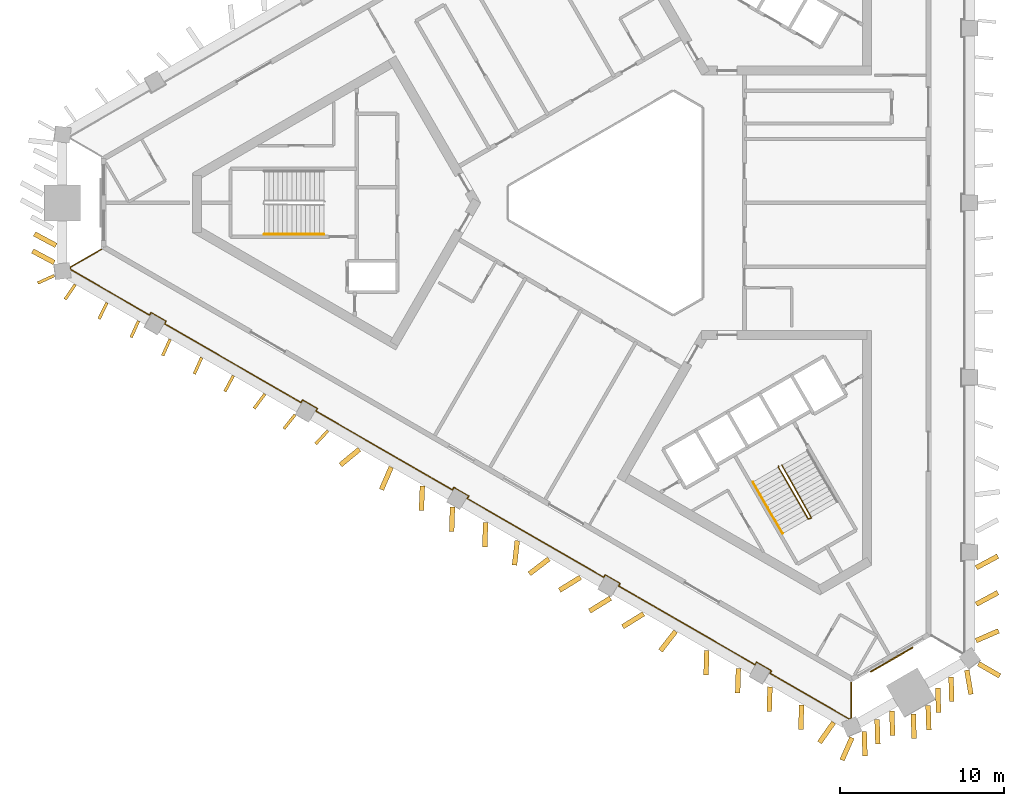
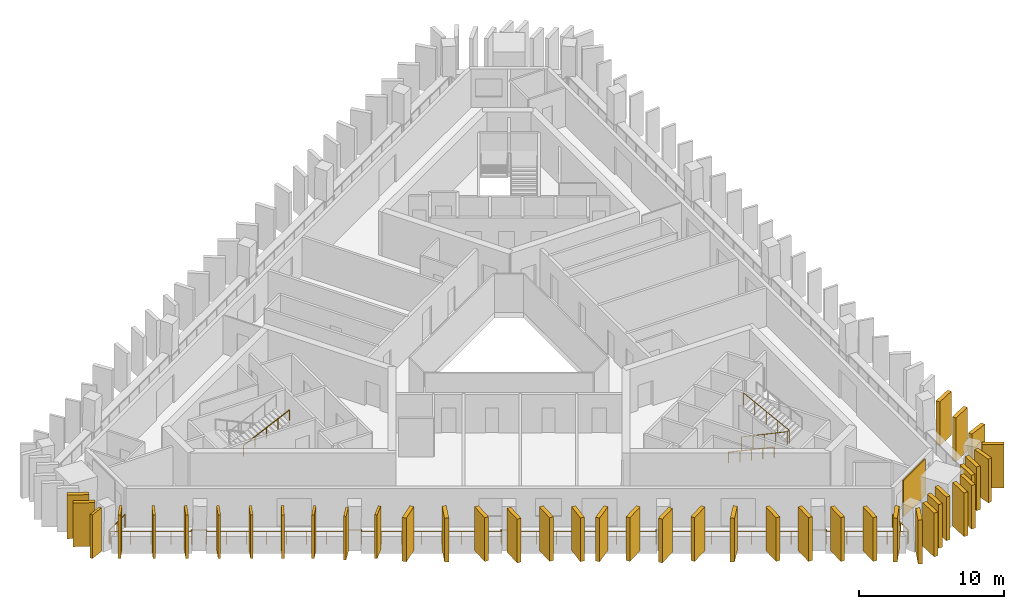
# One storey, part 7 of 9: 41 shading devices, 4 railings, 1 covering.
"""IFC4 building model written with IfcOpenShell, lengths in metres."""

from ifc_helpers import new_model, si_unit, direction, frame, frame_2d, origin, origin_2d, place, context, subcontext, project, spatial, rectangle, circle, extrude, material, layer, layer_set, type_object, element, save


model = new_model("IFC4")

# Units and contexts
model_context = context("Model", 3, precision=1e-05, world=origin(), true_north=direction((0.0, 1.0)))
body_context = subcontext(model_context, "Body", "Model", "MODEL_VIEW")
ifc_project = project(units=[si_unit("LENGTHUNIT", "METRE"), si_unit("AREAUNIT", "SQUARE_METRE"), si_unit("VOLUMEUNIT", "CUBIC_METRE"), si_unit("PLANEANGLEUNIT", "RADIAN"), si_unit("MASSUNIT", "GRAM", prefix="KILO")], contexts=[model_context])

# Site, building, storey
site_placement = place(None, origin())
site = spatial("IfcSite", under=ifc_project, at=site_placement, CompositionType="ELEMENT")
building_placement = place(site_placement, origin())
building = spatial("IfcBuilding", under=site, at=building_placement, Name="Jabali Bay Hotel Tower and Convention Centre", CompositionType="ELEMENT")
storey_placement = place(building_placement, frame((0.0, 0.0, 185.89990234375)))
storey = spatial("IfcBuildingStorey", under=building, at=storey_placement, Name="L45", CompositionType="ELEMENT", Elevation=185.89990234375)

# Railing
ifc_material_1 = material(Name="Glass", Category="glass")
railing_type_1 = type_object("IfcRailingType", Name="Loggia glass guard 1100", PredefinedType="BALUSTRADE", material=ifc_material_1)
railing_1_placement = place(storey_placement, frame((88.62646484375, 50.710205078125, 0.0)))
element("IfcRailing", 1, at=railing_1_placement, inside=storey, type_object=railing_type_1, Name="Loggia glass guard L45", PredefinedType="BALUSTRADE", context=body_context, shape_type="SweptSolid", body=[
    extrude(circle(Radius=0.02490234375, at=origin_2d()), frame((0.0, 0.0, 1.0751953125), z_axis=(0.0, -1.0, 0.0), x_axis=(0.991444861374, 0.0, 0.13052619222)), (0.0, 0.0, 1.0), 2.193115234375),
    extrude(circle(Radius=0.02490234375, at=origin_2d()), frame((0.0, -2.193115234375, 1.0751953125), z_axis=(-0.920243719744, -0.391345750291, 0.0), x_axis=(0.387997733147, -0.912370907152, 0.13052619222)), (0.0, 0.0, 1.0), 0.1259765625),
    extrude(circle(Radius=0.02490234375, at=origin_2d()), frame((-0.115966796875, -2.242431640625, 1.0751953125), z_axis=(-0.866032032245, 0.499988518994, 0.0), x_axis=(-0.495711047903, -0.858623008154, 0.13052619222)), (0.0, 0.0, 1.0), 5.586669921875),
    extrude(circle(Radius=0.02490234375, at=origin_2d()), frame((-4.9541015625, 0.55078125, 1.0751953125), z_axis=(0.499440622861, 0.866348119543, 0.0), x_axis=(-0.858936391282, 0.495167839097, 0.13052619222)), (0.0, 0.0, 1.0), 0.175048828125),
    extrude(circle(Radius=0.02490234375, at=origin_2d()), frame((-4.86669921875, 0.702392578125, 1.0751953125), z_axis=(-0.866088799389, 0.499890179513, 0.0), x_axis=(-0.495613549729, -0.858679289647, 0.13052619222)), (0.0, 0.0, 1.0), 1.050048828125),
    extrude(circle(Radius=0.02490234375, at=origin_2d()), frame((-5.776123046875, 1.227294921875, 1.0751953125), z_axis=(-0.500044870432, -0.865999496279, 0.0), x_axis=(0.858590750538, -0.495766917246, 0.13052619222)), (0.0, 0.0, 1.0), 0.1748046875),
    extrude(circle(Radius=0.02490234375, at=origin_2d()), frame((-5.863525390625, 1.075927734375, 1.0751953125), z_axis=(-0.866026381534, 0.499998306483, 0.0), x_axis=(-0.495720751659, -0.858617405787, 0.13052619222)), (0.0, 0.0, 1.0), 9.62744140625),
    extrude(circle(Radius=0.02490234375, at=origin_2d()), frame((-14.201171875, 5.8896484375, 1.0751953125), z_axis=(0.500044870432, 0.865999496279, 0.0), x_axis=(-0.858590750538, 0.495766917246, 0.13052619222)), (0.0, 0.0, 1.0), 0.1748046875),
    extrude(circle(Radius=0.02490234375, at=origin_2d()), frame((-14.11376953125, 6.041015625, 1.0751953125), z_axis=(-0.86592997719, 0.500165247297, 0.0), x_axis=(-0.495886264271, -0.858521826194, 0.13052619222)), (0.0, 0.0, 1.0), 1.050048828125),
    extrude(circle(Radius=0.02490234375, at=origin_2d()), frame((-15.02294921875, 6.566162109375, 1.0751953125), z_axis=(-0.500486622847, -0.865744269604, 0.0), x_axis=(0.858337707362, -0.496204890408, 0.13052619222)), (0.0, 0.0, 1.0), 0.175048828125),
    extrude(circle(Radius=0.02490234375, at=origin_2d()), frame((-15.110595703125, 6.41455078125, 1.0751953125), z_axis=(-0.866020041683, 0.500009287317, 0.0), x_axis=(-0.495731638549, -0.858611120174, 0.13052619222)), (0.0, 0.0, 1.0), 9.627197265625),
    extrude(circle(Radius=0.02490234375, at=origin_2d()), frame((-23.447998046875, 11.228271484375, 1.0751953125), z_axis=(0.499440622861, 0.866348119543, 0.0), x_axis=(-0.858936391282, 0.495167839097, 0.13052619222)), (0.0, 0.0, 1.0), 0.175048828125),
    extrude(circle(Radius=0.02490234375, at=origin_2d()), frame((-23.360595703125, 11.3798828125, 1.0751953125), z_axis=(-0.866088799389, 0.499890179513, 0.0), x_axis=(-0.495613549729, -0.858679289647, 0.13052619222)), (0.0, 0.0, 1.0), 1.050048828125),
    extrude(circle(Radius=0.02490234375, at=origin_2d()), frame((-24.27001953125, 11.90478515625, 1.0751953125), z_axis=(-0.499440622861, -0.866348119543, 0.0), x_axis=(0.858936391282, -0.495167839097, 0.13052619222)), (0.0, 0.0, 1.0), 0.175048828125),
    extrude(circle(Radius=0.02490234375, at=origin_2d()), frame((-24.357421875, 11.753173828125, 1.0751953125), z_axis=(-0.866026381534, 0.499998306483, 0.0), x_axis=(-0.495720751659, -0.858617405787, 0.13052619222)), (0.0, 0.0, 1.0), 9.62744140625),
    extrude(circle(Radius=0.02490234375, at=origin_2d()), frame((-32.695068359375, 16.56689453125, 1.0751953125), z_axis=(0.500486622847, 0.865744269604, 0.0), x_axis=(-0.858337707362, 0.496204890408, 0.13052619222)), (0.0, 0.0, 1.0), 0.175048828125),
    extrude(circle(Radius=0.02490234375, at=origin_2d()), frame((-32.607421875, 16.718505859375, 1.0751953125), z_axis=(-0.865988129768, 0.500064554934, 0.0), x_axis=(-0.495786433345, -0.858579481269, 0.13052619222)), (0.0, 0.0, 1.0), 1.050048828125),
    extrude(circle(Radius=0.02490234375, at=origin_2d()), frame((-33.516845703125, 17.24365234375, 1.0751953125), z_axis=(-0.499440622861, -0.866348119543, 0.0), x_axis=(0.858936391282, -0.495167839097, 0.13052619222)), (0.0, 0.0, 1.0), 0.175048828125),
    extrude(circle(Radius=0.02490234375, at=origin_2d()), frame((-33.604248046875, 17.092041015625, 1.0751953125), z_axis=(-0.866026381534, 0.499998306483, 0.0), x_axis=(-0.495720751659, -0.858617405787, 0.13052619222)), (0.0, 0.0, 1.0), 9.62744140625),
    extrude(circle(Radius=0.02490234375, at=origin_2d()), frame((-41.94189453125, 21.90576171875, 1.0751953125), z_axis=(0.499440622861, 0.866348119543, 0.0), x_axis=(-0.858936391282, 0.495167839097, 0.13052619222)), (0.0, 0.0, 1.0), 0.175048828125),
    extrude(circle(Radius=0.02490234375, at=origin_2d()), frame((-41.8544921875, 22.057373046875, 1.0751953125), z_axis=(-0.866030680601, 0.499990860175, 0.0), x_axis=(-0.495713369054, -0.858621668074, 0.13052619222)), (0.0, 0.0, 1.0), 1.0498046875),
    extrude(circle(Radius=0.02490234375, at=origin_2d()), frame((-42.763671875, 22.582275390625, 1.0751953125), z_axis=(-0.500486622847, -0.865744269604, 0.0), x_axis=(0.858337707362, -0.496204890408, 0.13052619222)), (0.0, 0.0, 1.0), 0.175048828125),
    extrude(circle(Radius=0.02490234375, at=origin_2d()), frame((-42.851318359375, 22.4306640625, 1.0751953125), z_axis=(-0.866013109036, 0.500021294524, 0.0), x_axis=(-0.495743543034, -0.858604246836, 0.13052619222)), (0.0, 0.0, 1.0), 5.586669921875),
    extrude(circle(Radius=0.02490234375, at=origin_2d()), frame((-47.689453125, 25.22412109375, 1.0751953125), z_axis=(-0.119984594018, 0.992775753732, 0.0), x_axis=(-0.984282419534, -0.118958109183, 0.13052619222)), (0.0, 0.0, 1.0), 0.126220703125),
    extrude(circle(Radius=0.02490234375, at=origin_2d()), frame((-47.70458984375, 25.349365234375, 1.0751953125), z_axis=(0.866035418383, 0.499982653806, 0.0), x_axis=(-0.495705232892, 0.858626365323, 0.13052619222)), (0.0, 0.0, 1.0), 2.19287109375),
    extrude(circle(Radius=0.02001953125, at=origin_2d()), origin(), (0.0, 0.0, 1.0), 1.050048828125),
    extrude(circle(Radius=0.02001953125, at=origin_2d()), frame((0.0, -1.0966796875, 0.0)), (0.0, 0.0, 1.0), 1.050048828125),
    extrude(circle(Radius=0.02001953125, at=origin_2d()), frame((0.0, -2.193115234375, 0.0)), (0.0, 0.0, 1.0), 1.050048828125),
    extrude(circle(Radius=0.02001953125, at=origin_2d()), frame((-0.115966796875, -2.242431640625, 0.0)), (0.0, 0.0, 1.0), 1.050048828125),
    extrude(circle(Radius=0.02001953125, at=origin_2d()), frame((-1.325439453125, -1.544189453125, 0.0)), (0.0, 0.0, 1.0), 1.050048828125),
    extrude(circle(Radius=0.02001953125, at=origin_2d()), frame((-2.53515625, -0.845703125, 0.0)), (0.0, 0.0, 1.0), 1.050048828125),
    extrude(circle(Radius=0.02001953125, at=origin_2d()), frame((-3.74462890625, -0.1474609375, 0.0)), (0.0, 0.0, 1.0), 1.050048828125),
    extrude(circle(Radius=0.02001953125, at=origin_2d()), frame((-4.9541015625, 0.55078125, 0.0)), (0.0, 0.0, 1.0), 1.050048828125),
    extrude(circle(Radius=0.02001953125, at=origin_2d()), frame((-4.86669921875, 0.702392578125, 0.0)), (0.0, 0.0, 1.0), 1.050048828125),
    extrude(circle(Radius=0.02001953125, at=origin_2d()), frame((-5.776123046875, 1.227294921875, 0.0)), (0.0, 0.0, 1.0), 1.050048828125),
    extrude(circle(Radius=0.02001953125, at=origin_2d()), frame((-5.863525390625, 1.075927734375, 0.0)), (0.0, 0.0, 1.0), 1.050048828125),
    extrude(circle(Radius=0.02001953125, at=origin_2d()), frame((-7.0546875, 1.763671875, 0.0)), (0.0, 0.0, 1.0), 1.050048828125),
    extrude(circle(Radius=0.02001953125, at=origin_2d()), frame((-8.24560546875, 2.451171875, 0.0)), (0.0, 0.0, 1.0), 1.050048828125),
    extrude(circle(Radius=0.02001953125, at=origin_2d()), frame((-9.436767578125, 3.138916015625, 0.0)), (0.0, 0.0, 1.0), 1.050048828125),
    extrude(circle(Radius=0.02001953125, at=origin_2d()), frame((-10.6279296875, 3.82666015625, 0.0)), (0.0, 0.0, 1.0), 1.050048828125),
    extrude(circle(Radius=0.02001953125, at=origin_2d()), frame((-11.819091796875, 4.514404296875, 0.0)), (0.0, 0.0, 1.0), 1.050048828125),
    extrude(circle(Radius=0.02001953125, at=origin_2d()), frame((-13.010009765625, 5.201904296875, 0.0)), (0.0, 0.0, 1.0), 1.050048828125),
    extrude(circle(Radius=0.02001953125, at=origin_2d()), frame((-14.201171875, 5.8896484375, 0.0)), (0.0, 0.0, 1.0), 1.050048828125),
    extrude(circle(Radius=0.02001953125, at=origin_2d()), frame((-14.11376953125, 6.041015625, 0.0)), (0.0, 0.0, 1.0), 1.050048828125),
    extrude(circle(Radius=0.02001953125, at=origin_2d()), frame((-15.02294921875, 6.566162109375, 0.0)), (0.0, 0.0, 1.0), 1.050048828125),
    extrude(circle(Radius=0.02001953125, at=origin_2d()), frame((-15.110595703125, 6.41455078125, 0.0)), (0.0, 0.0, 1.0), 1.050048828125),
    extrude(circle(Radius=0.02001953125, at=origin_2d()), frame((-16.3017578125, 7.102294921875, 0.0)), (0.0, 0.0, 1.0), 1.050048828125),
    extrude(circle(Radius=0.02001953125, at=origin_2d()), frame((-17.49267578125, 7.789794921875, 0.0)), (0.0, 0.0, 1.0), 1.050048828125),
    extrude(circle(Radius=0.02001953125, at=origin_2d()), frame((-18.683837890625, 8.4775390625, 0.0)), (0.0, 0.0, 1.0), 1.050048828125),
    extrude(circle(Radius=0.02001953125, at=origin_2d()), frame((-19.874755859375, 9.165283203125, 0.0)), (0.0, 0.0, 1.0), 1.050048828125),
    extrude(circle(Radius=0.02001953125, at=origin_2d()), frame((-21.06591796875, 9.85302734375, 0.0)), (0.0, 0.0, 1.0), 1.050048828125),
    extrude(circle(Radius=0.02001953125, at=origin_2d()), frame((-22.2568359375, 10.54052734375, 0.0)), (0.0, 0.0, 1.0), 1.050048828125),
    extrude(circle(Radius=0.02001953125, at=origin_2d()), frame((-23.447998046875, 11.228271484375, 0.0)), (0.0, 0.0, 1.0), 1.050048828125),
    extrude(circle(Radius=0.02001953125, at=origin_2d()), frame((-23.360595703125, 11.3798828125, 0.0)), (0.0, 0.0, 1.0), 1.050048828125),
    extrude(circle(Radius=0.02001953125, at=origin_2d()), frame((-24.27001953125, 11.90478515625, 0.0)), (0.0, 0.0, 1.0), 1.050048828125),
    extrude(circle(Radius=0.02001953125, at=origin_2d()), frame((-24.357421875, 11.753173828125, 0.0)), (0.0, 0.0, 1.0), 1.050048828125),
    extrude(circle(Radius=0.02001953125, at=origin_2d()), frame((-25.548583984375, 12.44091796875, 0.0)), (0.0, 0.0, 1.0), 1.050048828125),
    extrude(circle(Radius=0.02001953125, at=origin_2d()), frame((-26.739501953125, 13.12841796875, 0.0)), (0.0, 0.0, 1.0), 1.050048828125),
    extrude(circle(Radius=0.02001953125, at=origin_2d()), frame((-27.9306640625, 13.816162109375, 0.0)), (0.0, 0.0, 1.0), 1.050048828125),
    extrude(circle(Radius=0.02001953125, at=origin_2d()), frame((-29.121826171875, 14.50390625, 0.0)), (0.0, 0.0, 1.0), 1.050048828125),
    extrude(circle(Radius=0.02001953125, at=origin_2d()), frame((-30.31298828125, 15.191650390625, 0.0)), (0.0, 0.0, 1.0), 1.050048828125),
    extrude(circle(Radius=0.02001953125, at=origin_2d()), frame((-31.50390625, 15.879150390625, 0.0)), (0.0, 0.0, 1.0), 1.050048828125),
    extrude(circle(Radius=0.02001953125, at=origin_2d()), frame((-32.695068359375, 16.56689453125, 0.0)), (0.0, 0.0, 1.0), 1.050048828125),
    extrude(circle(Radius=0.02001953125, at=origin_2d()), frame((-32.607421875, 16.718505859375, 0.0)), (0.0, 0.0, 1.0), 1.050048828125),
    extrude(circle(Radius=0.02001953125, at=origin_2d()), frame((-33.516845703125, 17.24365234375, 0.0)), (0.0, 0.0, 1.0), 1.050048828125),
    extrude(circle(Radius=0.02001953125, at=origin_2d()), frame((-33.604248046875, 17.092041015625, 0.0)), (0.0, 0.0, 1.0), 1.050048828125),
    extrude(circle(Radius=0.02001953125, at=origin_2d()), frame((-34.79541015625, 17.77978515625, 0.0)), (0.0, 0.0, 1.0), 1.050048828125),
    extrude(circle(Radius=0.02001953125, at=origin_2d()), frame((-35.986328125, 18.46728515625, 0.0)), (0.0, 0.0, 1.0), 1.050048828125),
    extrude(circle(Radius=0.02001953125, at=origin_2d()), frame((-37.177490234375, 19.155029296875, 0.0)), (0.0, 0.0, 1.0), 1.050048828125),
    extrude(circle(Radius=0.02001953125, at=origin_2d()), frame((-38.36865234375, 19.8427734375, 0.0)), (0.0, 0.0, 1.0), 1.050048828125),
    extrude(circle(Radius=0.02001953125, at=origin_2d()), frame((-39.559814453125, 20.530517578125, 0.0)), (0.0, 0.0, 1.0), 1.050048828125),
    extrude(circle(Radius=0.02001953125, at=origin_2d()), frame((-40.750732421875, 21.218017578125, 0.0)), (0.0, 0.0, 1.0), 1.050048828125),
    extrude(circle(Radius=0.02001953125, at=origin_2d()), frame((-41.94189453125, 21.90576171875, 0.0)), (0.0, 0.0, 1.0), 1.050048828125),
    extrude(circle(Radius=0.02001953125, at=origin_2d()), frame((-41.8544921875, 22.057373046875, 0.0)), (0.0, 0.0, 1.0), 1.050048828125),
    extrude(circle(Radius=0.02001953125, at=origin_2d()), frame((-42.763671875, 22.582275390625, 0.0)), (0.0, 0.0, 1.0), 1.050048828125),
    extrude(circle(Radius=0.02001953125, at=origin_2d()), frame((-42.851318359375, 22.4306640625, 0.0)), (0.0, 0.0, 1.0), 1.050048828125),
    extrude(circle(Radius=0.02001953125, at=origin_2d()), frame((-44.060791015625, 23.12890625, 0.0)), (0.0, 0.0, 1.0), 1.050048828125),
    extrude(circle(Radius=0.02001953125, at=origin_2d()), frame((-45.2705078125, 23.827392578125, 0.0)), (0.0, 0.0, 1.0), 1.050048828125),
    extrude(circle(Radius=0.02001953125, at=origin_2d()), frame((-46.47998046875, 24.52587890625, 0.0)), (0.0, 0.0, 1.0), 1.050048828125),
    extrude(circle(Radius=0.02001953125, at=origin_2d()), frame((-47.689453125, 25.22412109375, 0.0)), (0.0, 0.0, 1.0), 1.050048828125),
    extrude(circle(Radius=0.02001953125, at=origin_2d()), frame((-47.70458984375, 25.349365234375, 0.0)), (0.0, 0.0, 1.0), 1.050048828125),
    extrude(circle(Radius=0.02001953125, at=origin_2d()), frame((-46.7548828125, 25.8974609375, 0.0)), (0.0, 0.0, 1.0), 1.050048828125),
    extrude(circle(Radius=0.02001953125, at=origin_2d()), frame((-45.805419921875, 26.44580078125, 0.0)), (0.0, 0.0, 1.0), 1.050048828125),
])

# Shading devices
ifc_material_2 = material(Name="Precast concrete C60", Category="concrete")
ifc_layer_1 = layer(ifc_material_2, 0.179931640625)
ifc_layer_set_1 = layer_set([ifc_layer_1], Name="Precast concrete C60")
shading_device_type_1 = type_object("IfcShadingDeviceType", Name="Precast fin 3680 x 1100", PredefinedType="USERDEFINED", material=ifc_layer_set_1)
for number, where, z_axis, x_axis, name in (
    (2, (41.236328125, 75.011474609375, 0.010009765625), (0.0, 0.0, 1.0), (-0.566830197099, -0.82383464825, 0.0), "Fin L45 066"),
    (3, (43.166748046875, 73.8974609375, 0.010009765625), (0.0, 0.0, 1.0), (-0.435456502385, -0.900209772515, 0.0), "Fin L45 067"),
    (4, (45.095947265625, 72.781005859375, 0.010009765625), (0.0, 0.0, 1.0), (-0.411711599692, -0.911314193173, 0.0), "Fin L45 068"),
    (5, (47.026123046875, 71.66650390625, 0.010009765625), (0.0, 0.0, 1.0), (-0.411259632718, -0.911518246936, 0.0), "Fin L45 069"),
):
    element("IfcShadingDevice", number, at=place(storey_placement, frame(where, z_axis=z_axis, x_axis=x_axis)), inside=storey, type_object=shading_device_type_1, Name=name, ObjectType="FIN", PredefinedType="USERDEFINED", context=body_context, shape_type="SweptSolid", body=[
        extrude(rectangle(XDim=1.10009765625, YDim=0.179931640625, at=frame_2d((0.550048828125, 0.0))), origin(), (0.0, 0.0, 1.0), 3.68017578125),
    ])
for number, where, z_axis, x_axis, name in (
    (6, (48.956298828125, 70.552001953125, 0.010009765625), (0.0, 0.0, 1.0), (-0.410170862135, -0.912008697248, 0.0), "Fin L45 070"),
    (7, (50.889404296875, 69.44287109375, 0.010009765625), (0.0, 0.0, 1.0), (-0.470588235294, -0.882352941176, 0.0), "Fin L45 071"),
):
    element("IfcShadingDevice", number, at=place(storey_placement, frame(where, z_axis=z_axis, x_axis=x_axis)), inside=storey, type_object=shading_device_type_1, Name=name, ObjectType="FIN", PredefinedType="USERDEFINED", context=body_context, shape_type="SweptSolid", body=[
        extrude(rectangle(XDim=1.099853515625, YDim=0.179931640625, at=frame_2d((0.5498046875, 0.0))), origin(), (0.0, 0.0, 1.0), 3.68017578125),
    ])
for number, where, z_axis, x_axis, name in (
    (8, (52.816162109375, 68.322265625, 0.010009765625), (0.0, 0.0, 1.0), (-0.59583769015, -0.803104879201, 0.0), "Fin L45 072"),
    (9, (54.65966796875, 67.0576171875, 0.010009765625), (0.0, 0.0, 1.0), (-0.620327680117, -0.784342762624, 0.0), "Fin L45 073"),
    (10, (56.671630859375, 66.084716796875, 0.010009765625), (0.0, 0.0, 1.0), (-0.681811991259, -0.731527448955, 0.0), "Fin L45 074"),
):
    element("IfcShadingDevice", number, at=place(storey_placement, frame(where, z_axis=z_axis, x_axis=x_axis)), inside=storey, type_object=shading_device_type_1, Name=name, ObjectType="FIN", PredefinedType="USERDEFINED", context=body_context, shape_type="SweptSolid", body=[
        extrude(rectangle(XDim=1.10009765625, YDim=0.179931640625, at=frame_2d((0.550048828125, 0.0))), origin(), (0.0, 0.0, 1.0), 3.68017578125),
    ])
shading_device_1_placement = place(storey_placement, frame((39.948486328125, 75.55517578125, 0.010009765625), z_axis=(0.0, 0.0, 1.0), x_axis=(-0.911276560318, -0.411794889011, 0.0)))
element("IfcShadingDevice", 11, at=shading_device_1_placement, inside=storey, type_object=shading_device_type_1, Name="Fin L45 103", ObjectType="FIN", PredefinedType="USERDEFINED", context=body_context, shape_type="SweptSolid", body=[
    extrude(rectangle(XDim=1.099853515625, YDim=0.179931640625, at=frame_2d((0.5498046875, 0.0))), origin(), (0.0, 0.0, 1.0), 3.68017578125),
])
ifc_layer_2 = layer(ifc_material_2, 0.300048828125)
ifc_layer_set_2 = layer_set([ifc_layer_2], Name="Precast concrete C60")
shading_device_type_2 = type_object("IfcShadingDeviceType", Name="Precast fin 3680 x 1500", PredefinedType="USERDEFINED", material=ifc_layer_set_2)
for number, where, z_axis, x_axis, name in (
    (12, (96.2548828125, 53.254150390625, 0.010009765625), (0.0, 0.0, 1.0), (0.916780017782, 0.399392537482, 0.0), "Fin L45 000"),
    (13, (96.265869140625, 55.48291015625, 0.010009765625), (0.0, 0.0, 1.0), (0.881165229654, 0.472808458098, 0.0), "Fin L45 001"),
    (14, (96.265869140625, 57.711669921875, 0.010009765625), (0.0, 0.0, 1.0), (0.881404945514, 0.472361431557, 0.0), "Fin L45 002"),
    (15, (40.063232421875, 77.392578125, 0.010009765625), (0.0, 0.0, 1.0), (-0.881061009287, 0.473002640493, 0.0), "Fin L45 064"),
    (16, (39.9501953125, 76.349609375, 0.010009765625), (0.0, 0.0, 1.0), (-0.881061009287, 0.473002640493, 0.0), "Fin L45 065"),
    (17, (58.585693359375, 64.942626953125, 0.010009765625), (0.0, 0.0, 1.0), (-0.770311617104, -0.637667634865, 0.0), "Fin L45 075"),
    (18, (60.53369140625, 63.85888671875, 0.010009765625), (0.0, 0.0, 1.0), (-0.399059344356, -0.916925100367, 0.0), "Fin L45 076"),
):
    element("IfcShadingDevice", number, at=place(storey_placement, frame(where, z_axis=z_axis, x_axis=x_axis)), inside=storey, type_object=shading_device_type_2, Name=name, ObjectType="FIN", PredefinedType="USERDEFINED", context=body_context, shape_type="SweptSolid", body=[
        extrude(rectangle(XDim=1.5, YDim=0.300048828125, at=frame_2d((0.75, 0.0))), origin(), (0.0, 0.0, 1.0), 3.68017578125),
    ])
shading_device_2_placement = place(storey_placement, frame((62.4375, 62.698974609375, 0.010009765625), z_axis=(0.0, 0.0, 1.0), x_axis=(-0.042314241954, -0.999104351371, 0.0)))
element("IfcShadingDevice", 19, at=shading_device_2_placement, inside=storey, type_object=shading_device_type_2, Name="Fin L45 077", ObjectType="FIN", PredefinedType="USERDEFINED", context=body_context, shape_type="SweptSolid", body=[
    extrude(rectangle(XDim=1.500244140625, YDim=0.300048828125, at=frame_2d((0.75, 0.0))), origin(), (0.0, 0.0, 1.0), 3.68017578125),
])
shading_device_3_placement = place(storey_placement, frame((64.27587890625, 61.425537109375, 0.010009765625), z_axis=(0.0, 0.0, 1.0), x_axis=(-0.03352616757, -0.999437840032, 0.0)))
element("IfcShadingDevice", 20, at=shading_device_3_placement, inside=storey, type_object=shading_device_type_2, Name="Fin L45 078", ObjectType="FIN", PredefinedType="USERDEFINED", context=body_context, shape_type="SweptSolid", body=[
    extrude(rectangle(XDim=1.5, YDim=0.300048828125, at=frame_2d((0.75, 0.0))), origin(), (0.0, 0.0, 1.0), 3.68017578125),
])
shading_device_4_placement = place(storey_placement, frame((66.29736328125, 60.46875, 0.010009765625), z_axis=(0.0, 0.0, 1.0), x_axis=(-0.03158033161, -0.999501216935, 0.0)))
element("IfcShadingDevice", 21, at=shading_device_4_placement, inside=storey, type_object=shading_device_type_2, Name="Fin L45 079", ObjectType="FIN", PredefinedType="USERDEFINED", context=body_context, shape_type="SweptSolid", body=[
    extrude(rectangle(XDim=1.499755859375, YDim=0.300048828125, at=frame_2d((0.75, 0.0))), origin(), (0.0, 0.0, 1.0), 3.68017578125),
])
for number, where, z_axis, x_axis, name in (
    (22, (68.23291015625, 59.364013671875, 0.010009765625), (0.0, 0.0, 1.0), (-0.112467790546, -0.993655370886, 0.0), "Fin L45 080"),
    (23, (70.164306640625, 58.25146484375, 0.010009765625), (0.0, 0.0, 1.0), (-0.794477939917, -0.607293012462, 0.0), "Fin L45 081"),
    (24, (72.087890625, 57.12548828125, 0.010009765625), (0.0, 0.0, 1.0), (-0.850140244576, -0.526556326097, 0.0), "Fin L45 082"),
    (25, (73.927001953125, 55.85302734375, 0.010009765625), (0.0, 0.0, 1.0), (-0.850258209303, -0.526365820996, 0.0), "Fin L45 083"),
):
    element("IfcShadingDevice", number, at=place(storey_placement, frame(where, z_axis=z_axis, x_axis=x_axis)), inside=storey, type_object=shading_device_type_2, Name=name, ObjectType="FIN", PredefinedType="USERDEFINED", context=body_context, shape_type="SweptSolid", body=[
        extrude(rectangle(XDim=1.5, YDim=0.300048828125, at=frame_2d((0.75, 0.0))), origin(), (0.0, 0.0, 1.0), 3.68017578125),
    ])
shading_device_5_placement = place(storey_placement, frame((75.948486328125, 54.896728515625, 0.010009765625), z_axis=(0.0, 0.0, 1.0), x_axis=(-0.850185364679, -0.526483471427, 0.0)))
element("IfcShadingDevice", 26, at=shading_device_5_placement, inside=storey, type_object=shading_device_type_2, Name="Fin L45 084", ObjectType="FIN", PredefinedType="USERDEFINED", context=body_context, shape_type="SweptSolid", body=[
    extrude(rectangle(XDim=1.500244140625, YDim=0.300048828125, at=frame_2d((0.75, 0.0))), origin(), (0.0, 0.0, 1.0), 3.68017578125),
])
shading_device_6_placement = place(storey_placement, frame((77.90380859375, 53.825927734375, 0.010009765625), z_axis=(0.0, 0.0, 1.0), x_axis=(-0.613354436906, -0.789807783405, 0.0)))
element("IfcShadingDevice", 27, at=shading_device_6_placement, inside=storey, type_object=shading_device_type_2, Name="Fin L45 085", ObjectType="FIN", PredefinedType="USERDEFINED", context=body_context, shape_type="SweptSolid", body=[
    extrude(rectangle(XDim=1.499755859375, YDim=0.300048828125, at=frame_2d((0.75, 0.0))), origin(), (0.0, 0.0, 1.0), 3.68017578125),
])
for number, where, z_axis, x_axis, name in (
    (28, (79.808837890625, 52.66796875, 0.010009765625), (0.0, 0.0, 1.0), (-0.030924788426, -0.999521714352, 0.0), "Fin L45 086"),
    (29, (81.739013671875, 51.553466796875, 0.010009765625), (0.0, 0.0, 1.0), (-0.030924788426, -0.999521714352, 0.0), "Fin L45 087"),
    (30, (83.669189453125, 50.43896484375, 0.010009765625), (0.0, 0.0, 1.0), (-0.030924788426, -0.999521714352, 0.0), "Fin L45 088"),
    (31, (85.599365234375, 49.32470703125, 0.010009765625), (0.0, 0.0, 1.0), (-0.030762180813, -0.999526732125, 0.0), "Fin L45 089"),
):
    element("IfcShadingDevice", number, at=place(storey_placement, frame(where, z_axis=z_axis, x_axis=x_axis)), inside=storey, type_object=shading_device_type_2, Name=name, ObjectType="FIN", PredefinedType="USERDEFINED", context=body_context, shape_type="SweptSolid", body=[
        extrude(rectangle(XDim=1.5, YDim=0.300048828125, at=frame_2d((0.75, 0.0))), origin(), (0.0, 0.0, 1.0), 3.68017578125),
    ])
shading_device_7_placement = place(storey_placement, frame((87.55859375, 48.26025390625, 0.010009765625), z_axis=(0.0, 0.0, 1.0), x_axis=(-0.574630421476, -0.818413024526, 0.0)))
element("IfcShadingDevice", 32, at=shading_device_7_placement, inside=storey, type_object=shading_device_type_2, Name="Fin L45 090", ObjectType="FIN", PredefinedType="USERDEFINED", context=body_context, shape_type="SweptSolid", body=[
    extrude(rectangle(XDim=1.500244140625, YDim=0.300048828125, at=frame_2d((0.75, 0.0))), origin(), (0.0, 0.0, 1.0), 3.68017578125),
])
for number, where, z_axis, x_axis, name in (
    (33, (89.426025390625, 47.712158203125, 0.010009765625), (0.0, 0.0, 1.0), (0.030924788426, -0.999521714352, 0.0), "Fin L45 091"),
    (34, (90.210205078125, 48.440185546875, 0.010009765625), (0.0, 0.0, 1.0), (0.030924788426, -0.999521714352, 0.0), "Fin L45 092"),
    (35, (91.113525390625, 48.961669921875, 0.010009765625), (0.0, 0.0, 1.0), (0.030924788426, -0.999521714352, 0.0), "Fin L45 093"),
    (36, (92.423095703125, 48.779541015625, 0.010009765625), (0.0, 0.0, 1.0), (0.030762180813, -0.999526732125, 0.0), "Fin L45 094"),
    (37, (93.326171875, 49.301025390625, 0.010009765625), (0.0, 0.0, 1.0), (0.030924788426, -0.999521714352, 0.0), "Fin L45 095"),
    (38, (93.919921875, 50.358642578125, 0.010009765625), (0.0, 0.0, 1.0), (0.030924788426, -0.999521714352, 0.0), "Fin L45 096"),
    (39, (94.7265625, 51.047607421875, 0.010009765625), (0.0, 0.0, 1.0), (0.030924788426, -0.999521714352, 0.0), "Fin L45 097"),
    (40, (95.695068359375, 51.4560546875, 0.010009765625), (0.0, 0.0, 1.0), (0.166008709715, -0.986124286436, 0.0), "Fin L45 098"),
    (41, (96.405029296875, 51.849609375, 0.010009765625), (0.0, 0.0, 1.0), (0.866031096941, -0.499990139034, 0.0), "Fin L45 099"),
    (42, (88.676513671875, 47.33251953125, 0.010009765625), (0.0, 0.0, 1.0), (-0.403796474284, -0.914848843993, 0.0), "Fin L45 104"),
):
    element("IfcShadingDevice", number, at=place(storey_placement, frame(where, z_axis=z_axis, x_axis=x_axis)), inside=storey, type_object=shading_device_type_2, Name=name, ObjectType="FIN", PredefinedType="USERDEFINED", context=body_context, shape_type="SweptSolid", body=[
        extrude(rectangle(XDim=1.5, YDim=0.300048828125, at=frame_2d((0.75, 0.0))), origin(), (0.0, 0.0, 1.0), 3.68017578125),
    ])

# Covering
ifc_material_3 = material(Name="Precast concrete C40/50", Category="concrete")
ifc_layer_3 = layer(ifc_material_3, 0.080078125)
ifc_layer_set_3 = layer_set([ifc_layer_3], Name="Precast concrete C40/50")
covering_type = type_object("IfcCoveringType", Name="Relief panel 3000 x 3050", PredefinedType="CLADDING", material=ifc_layer_set_3)
covering_placement = place(storey_placement, frame((91.109619140625, 52.097412109375, 0.10009765625), z_axis=(0.0, 0.0, 1.0), x_axis=(-0.866025470229, -0.499999884914, 0.0)))
element("IfcCovering", 43, at=covering_placement, inside=storey, type_object=covering_type, Name="Relief panel L45", PredefinedType="CLADDING", context=body_context, shape_type="SweptSolid", body=[
    extrude(rectangle(XDim=3.0, YDim=0.080078125, at=origin_2d()), origin(), (0.0, 0.0, 1.0), 3.050048828125),
])

# Railings
ifc_material_4 = material(Name="Steel Q355B", Category="steel")
railing_type_2 = type_object("IfcRailingType", Name="Stair guard 1100", PredefinedType="GUARDRAIL", material=ifc_material_4)
railing_2_placement = place(storey_placement, frame((84.199951171875, 63.9150390625, 0.0)))
element("IfcRailing", 44, at=railing_2_placement, inside=storey, type_object=railing_type_2, Name="L45 ST3 stair guard 1", PredefinedType="GUARDRAIL", context=body_context, shape_type="SweptSolid", body=[
    extrude(circle(Radius=0.02392578125, at=origin_2d()), frame((0.0, 0.0, 1.076171875), z_axis=(-0.122021570157, -0.455547195254, 0.88180921367), x_axis=(0.965948051503, -0.258736085224, 0.0)), (0.0, 0.0, 1.0), 0.150146484375),
    extrude(circle(Radius=0.02392578125, at=origin_2d()), frame((-0.018310546875, -0.068359375, 1.20849609375), z_axis=(0.452190331055, -0.783190014029, 0.426775475427), x_axis=(0.866018046521, 0.500012742938, 0.0)), (0.0, 0.0, 1.0), 4.02490234375),
    extrude(circle(Radius=0.02392578125, at=origin_2d()), frame((1.8017578125, -3.220703125, 2.92626953125), z_axis=(0.96121063429, 0.275815366736, 0.0), x_axis=(-0.275815366736, 0.96121063429, 0.0)), (0.0, 0.0, 1.0), 0.206298828125),
    extrude(circle(Radius=0.02392578125, at=origin_2d()), frame((2.0, -3.163818359375, 2.92626953125), z_axis=(-0.436470229993, 0.780146179382, 0.448180406895), x_axis=(-0.872702246529, -0.488252792008, 0.0)), (0.0, 0.0, 1.0), 4.1279296875),
    extrude(circle(Radius=0.02099609375, at=origin_2d()), origin(), (0.0, 0.0, 1.0), 1.052001953125),
    extrude(circle(Radius=0.02099609375, at=origin_2d()), frame((-0.018310546875, -0.068359375, 0.13232421875)), (0.0, 0.0, 1.0), 1.052001953125),
    extrude(circle(Radius=0.02099609375, at=origin_2d()), frame((0.436767578125, -0.8564453125, 0.561767578125)), (0.0, 0.0, 1.0), 1.052001953125),
    extrude(circle(Radius=0.02099609375, at=origin_2d()), frame((0.8916015625, -1.64453125, 0.9912109375)), (0.0, 0.0, 1.0), 1.052001953125),
    extrude(circle(Radius=0.02099609375, at=origin_2d()), frame((1.3466796875, -2.4326171875, 1.420654296875)), (0.0, 0.0, 1.0), 1.052001953125),
    extrude(circle(Radius=0.02099609375, at=origin_2d()), frame((1.8017578125, -3.220703125, 1.85009765625)), (0.0, 0.0, 1.0), 1.052001953125),
    extrude(circle(Radius=0.02099609375, at=origin_2d()), frame((2.0, -3.163818359375, 1.85009765625)), (0.0, 0.0, 1.0), 1.052001953125),
    extrude(circle(Radius=0.02099609375, at=origin_2d()), frame((1.549560546875, -2.358642578125, 2.3125)), (0.0, 0.0, 1.0), 1.052001953125),
    extrude(circle(Radius=0.02099609375, at=origin_2d()), frame((1.09912109375, -1.5537109375, 2.775146484375)), (0.0, 0.0, 1.0), 1.052001953125),
    extrude(circle(Radius=0.02099609375, at=origin_2d()), frame((0.648681640625, -0.74853515625, 3.23779296875)), (0.0, 0.0, 1.0), 1.052001953125),
    extrude(circle(Radius=0.02099609375, at=origin_2d()), frame((0.1982421875, 0.056640625, 3.7001953125)), (0.0, 0.0, 1.0), 1.052001953125),
])
railing_type_3 = type_object("IfcRailingType", Name="Stair handrail 900", PredefinedType="HANDRAIL", material=ifc_material_4)
railing_3_placement = place(storey_placement, frame((52.780029296875, 78.074951171875, 1.982177734375)))
element("IfcRailing", 45, at=railing_3_placement, inside=storey, type_object=railing_type_3, Name="L45 ST1 stair handrail 2", PredefinedType="HANDRAIL", context=body_context, shape_type="SweptSolid", body=[
    extrude(circle(Radius=0.02392578125, at=origin_2d()), frame((0.0, 0.0, 0.8759765625), z_axis=(0.904327350853, 0.0, 0.426839598092), x_axis=(0.0, 1.0, 0.0)), (0.0, 0.0, 1.0), 4.02490234375),
    extrude(circle(Radius=0.02099609375, at=origin_2d()), origin(), (0.0, 0.0, 1.0), 0.851806640625),
    extrude(circle(Radius=0.02099609375, at=origin_2d()), frame((0.909912109375, 0.0, 0.429443359375)), (0.0, 0.0, 1.0), 0.851806640625),
    extrude(circle(Radius=0.02099609375, at=origin_2d()), frame((1.81982421875, 0.0, 0.85888671875)), (0.0, 0.0, 1.0), 0.851806640625),
    extrude(circle(Radius=0.02099609375, at=origin_2d()), frame((2.72998046875, 0.0, 1.28857421875)), (0.0, 0.0, 1.0), 0.851806640625),
    extrude(circle(Radius=0.02099609375, at=origin_2d()), frame((3.639892578125, 0.0, 1.718017578125)), (0.0, 0.0, 1.0), 0.851806640625),
])
railing_4_placement = place(storey_placement, frame((82.622802734375, 62.94677734375, 0.13232421875)))
element("IfcRailing", 46, at=railing_4_placement, inside=storey, type_object=railing_type_3, Name="L45 ST3 stair handrail 1", PredefinedType="HANDRAIL", context=body_context, shape_type="SweptSolid", body=[
    extrude(circle(Radius=0.02392578125, at=origin_2d()), frame((0.0, 0.0, 0.8759765625), z_axis=(0.452190331055, -0.783190014029, 0.426775475427), x_axis=(0.866018046521, 0.500012742938, 0.0)), (0.0, 0.0, 1.0), 4.02490234375),
    extrude(circle(Radius=0.02099609375, at=origin_2d()), origin(), (0.0, 0.0, 1.0), 0.851806640625),
    extrude(circle(Radius=0.02099609375, at=origin_2d()), frame((0.455078125, -0.7880859375, 0.429443359375)), (0.0, 0.0, 1.0), 0.851806640625),
    extrude(circle(Radius=0.02099609375, at=origin_2d()), frame((0.91015625, -1.576171875, 0.85888671875)), (0.0, 0.0, 1.0), 0.851806640625),
    extrude(circle(Radius=0.02099609375, at=origin_2d()), frame((1.364990234375, -2.3642578125, 1.288330078125)), (0.0, 0.0, 1.0), 0.851806640625),
    extrude(circle(Radius=0.02099609375, at=origin_2d()), frame((1.820068359375, -3.15234375, 1.7177734375)), (0.0, 0.0, 1.0), 0.851806640625),
])

save(model, "model.ifc")
